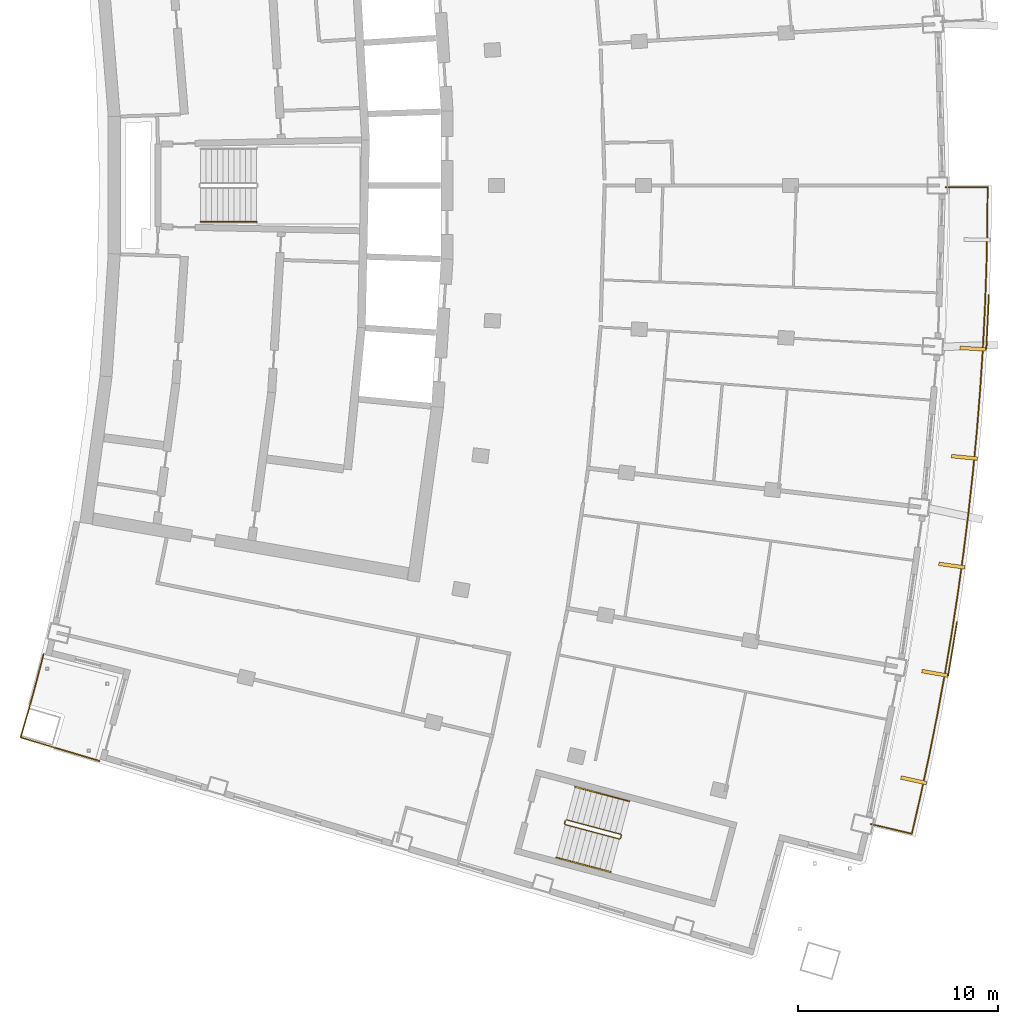
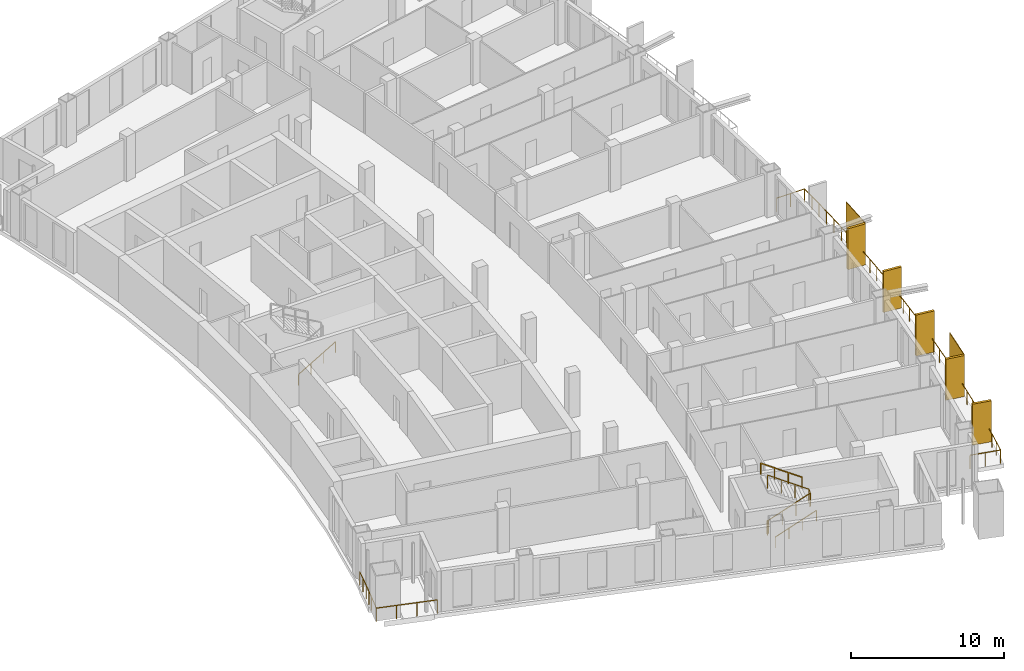
# One storey, part 16 of 17: 7 shading devices, 6 railings.
"""IFC4 building model written with IfcOpenShell, lengths in metres."""

from ifc_helpers import new_model, si_unit, direction, frame, origin, origin_with_axes, origin_2d, place, context, subcontext, project, spatial, rectangle, extrude, material, layer, layer_set, type_object, element, save


model = new_model("IFC4")

# Units and contexts
model_context = context("Model", 3, precision=1e-05, world=origin(), true_north=direction((0.0, 1.0)))
body_context = subcontext(model_context, "Body", "Model", "MODEL_VIEW")
ifc_project = project(units=[si_unit("LENGTHUNIT", "METRE"), si_unit("AREAUNIT", "SQUARE_METRE"), si_unit("VOLUMEUNIT", "CUBIC_METRE"), si_unit("PLANEANGLEUNIT", "RADIAN"), si_unit("MASSUNIT", "GRAM", prefix="KILO")], contexts=[model_context])

# Site, building, storey
site_placement = place(None, origin())
site = spatial("IfcSite", under=ifc_project, at=site_placement, CompositionType="ELEMENT")
building_placement = place(site_placement, origin())
building = spatial("IfcBuilding", under=site, at=building_placement, Name="Alderwake Tower", CompositionType="ELEMENT")
storey_placement = place(building_placement, frame((0.0, 0.0, 214.39990234375)))
storey = spatial("IfcBuildingStorey", under=building, at=storey_placement, Name="L53", CompositionType="ELEMENT", Elevation=214.39990234375)

# Railings
ifc_material_1 = material(Name="Stainless steel 316 rail and posts", Category="steel")
railing_type_1 = type_object("IfcRailingType", Name="Balcony guard 1100", PredefinedType="GUARDRAIL", material=ifc_material_1)
railing_1_placement = place(storey_placement, frame((54.477783203125, 29.14111328125, 0.0)))
element("IfcRailing", 1, at=railing_1_placement, inside=storey, type_object=railing_type_1, Name="Guard BF03", PredefinedType="GUARDRAIL", context=body_context, shape_type="SweptSolid", body=[
    extrude(rectangle(XDim=0.048095703125, YDim=0.048095703125, at=origin_2d()), frame((0.0, 0.0, 1.076171875), z_axis=(0.973057638874, -0.230561990427, 0.0), x_axis=(0.230561990427, 0.973057638874, 0.0)), (0.0, 0.0, 1.0), 2.099853515625),
    extrude(rectangle(XDim=0.048095703125, YDim=0.048095703125, at=origin_2d()), frame((2.043212890625, -0.484130859375, 1.076171875), z_axis=(0.22380572243, 0.97463377666, 0.0), x_axis=(-0.97463377666, 0.22380572243, 0.0)), (0.0, 0.0, 1.0), 1.946044921875),
    extrude(rectangle(XDim=0.048095703125, YDim=0.048095703125, at=origin_2d()), frame((2.478759765625, 1.41259765625, 1.076171875), z_axis=(0.209912112269, 0.977720259135, 0.0), x_axis=(-0.977720259135, 0.209912112269, 0.0)), (0.0, 0.0, 1.0), 2.0458984375),
    extrude(rectangle(XDim=0.048095703125, YDim=0.048095703125, at=origin_2d()), frame((2.908203125, 3.412841796875, 1.076171875), z_axis=(0.195565396752, 0.98069066254, 0.0), x_axis=(-0.98069066254, 0.195565396752, 0.0)), (0.0, 0.0, 1.0), 2.046142578125),
    extrude(rectangle(XDim=0.048095703125, YDim=0.048095703125, at=origin_2d()), frame((3.308349609375, 5.41943359375, 1.076171875), z_axis=(0.181268734219, 0.983433600196, 0.0), x_axis=(-0.983433600196, 0.181268734219, 0.0)), (0.0, 0.0, 1.0), 2.0458984375),
    extrude(rectangle(XDim=0.048095703125, YDim=0.048095703125, at=origin_2d()), frame((3.67919921875, 7.431396484375, 1.076171875), z_axis=(0.167049252433, 0.985948552036, 0.0), x_axis=(-0.985948552036, 0.167049252433, 0.0)), (0.0, 0.0, 1.0), 2.046142578125),
    extrude(rectangle(XDim=0.048095703125, YDim=0.048095703125, at=origin_2d()), frame((4.02099609375, 9.44873046875, 1.076171875), z_axis=(0.152487539839, 0.988305393183, 0.0), x_axis=(-0.988305393183, 0.152487539839, 0.0)), (0.0, 0.0, 1.0), 2.046142578125),
    extrude(rectangle(XDim=0.048095703125, YDim=0.048095703125, at=origin_2d()), frame((4.3330078125, 11.470947265625, 1.076171875), z_axis=(0.138062649027, 0.990423497774, 0.0), x_axis=(-0.990423497774, 0.138062649027, 0.0)), (0.0, 0.0, 1.0), 2.0458984375),
    extrude(rectangle(XDim=0.048095703125, YDim=0.048095703125, at=origin_2d()), frame((4.615478515625, 13.497314453125, 1.076171875), z_axis=(0.123623502309, 0.992329194208, 0.0), x_axis=(-0.992329194208, 0.123623502309, 0.0)), (0.0, 0.0, 1.0), 2.0458984375),
    extrude(rectangle(XDim=0.048095703125, YDim=0.048095703125, at=origin_2d()), frame((4.868408203125, 15.527587890625, 1.076171875), z_axis=(0.109174253205, 0.994022626723, 0.0), x_axis=(-0.994022626723, 0.109174253205, 0.0)), (0.0, 0.0, 1.0), 2.046142578125),
    extrude(rectangle(XDim=0.048095703125, YDim=0.048095703125, at=origin_2d()), frame((5.091796875, 17.5615234375, 1.076171875), z_axis=(0.094623268612, 0.995513152619, 0.0), x_axis=(-0.995513152619, 0.094623268612, 0.0)), (0.0, 0.0, 1.0), 2.046142578125),
    extrude(rectangle(XDim=0.048095703125, YDim=0.048095703125, at=origin_2d()), frame((5.285400390625, 19.598388671875, 1.076171875), z_axis=(0.080191048977, 0.996779512061, 0.0), x_axis=(-0.996779512061, 0.080191048977, 0.0)), (0.0, 0.0, 1.0), 2.0458984375),
    extrude(rectangle(XDim=0.048095703125, YDim=0.048095703125, at=origin_2d()), frame((5.449462890625, 21.6376953125, 1.076171875), z_axis=(0.065505305432, 0.997852221003, 0.0), x_axis=(-0.997852221003, 0.065505305432, 0.0)), (0.0, 0.0, 1.0), 2.046142578125),
    extrude(rectangle(XDim=0.048095703125, YDim=0.048095703125, at=origin_2d()), frame((5.58349609375, 23.679443359375, 1.076171875), z_axis=(0.051074369334, 0.998694852694, 0.0), x_axis=(-0.998694852694, 0.051074369334, 0.0)), (0.0, 0.0, 1.0), 2.0458984375),
    extrude(rectangle(XDim=0.048095703125, YDim=0.048095703125, at=origin_2d()), frame((5.68798828125, 25.72265625, 1.076171875), z_axis=(0.036393784558, 0.999337526787, 0.0), x_axis=(-0.999337526787, 0.036393784558, 0.0)), (0.0, 0.0, 1.0), 2.046142578125),
    extrude(rectangle(XDim=0.048095703125, YDim=0.048095703125, at=origin_2d()), frame((5.762451171875, 27.767333984375, 1.076171875), z_axis=(0.021954368204, 0.999758973812, 0.0), x_axis=(-0.999758973812, 0.021954368204, 0.0)), (0.0, 0.0, 1.0), 2.046142578125),
    extrude(rectangle(XDim=0.048095703125, YDim=0.048095703125, at=origin_2d()), frame((5.807373046875, 29.81298828125, 1.076171875), z_axis=(0.007653477216, 0.999970711714, 0.0), x_axis=(-0.999970711714, 0.007653477216, 0.0)), (0.0, 0.0, 1.0), 1.94580078125),
    extrude(rectangle(XDim=0.048095703125, YDim=0.048095703125, at=origin_2d()), frame((5.822265625, 31.7587890625, 1.076171875), z_axis=(-0.999999668894, 0.000813763971, 0.0), x_axis=(-0.000813763971, -0.999999668894, 0.0)), (0.0, 0.0, 1.0), 2.10009765625),
    extrude(rectangle(XDim=0.0419921875, YDim=0.0419921875, at=origin_2d()), frame((0.0, 0.0, 0.0), z_axis=(0.0, 0.0, 1.0), x_axis=(0.973057638874, -0.230561990427, 0.0)), (0.0, 0.0, 1.0), 1.052001953125),
    extrude(rectangle(XDim=0.0419921875, YDim=0.0419921875, at=origin_2d()), frame((1.021484375, -0.2421875, 0.0), z_axis=(0.0, 0.0, 1.0), x_axis=(0.973057638874, -0.230561990427, 0.0)), (0.0, 0.0, 1.0), 1.052001953125),
    extrude(rectangle(XDim=0.0419921875, YDim=0.0419921875, at=origin_2d()), frame((2.043212890625, -0.484130859375, 0.0), z_axis=(0.0, 0.0, 1.0), x_axis=(0.22380572243, 0.97463377666, 0.0)), (0.0, 0.0, 1.0), 1.052001953125),
    extrude(rectangle(XDim=0.0419921875, YDim=0.0419921875, at=origin_2d()), frame((2.260986328125, 0.46435546875, 0.0), z_axis=(0.0, 0.0, 1.0), x_axis=(0.22380572243, 0.97463377666, 0.0)), (0.0, 0.0, 1.0), 1.052001953125),
    extrude(rectangle(XDim=0.0419921875, YDim=0.0419921875, at=origin_2d()), frame((2.478759765625, 1.41259765625, 0.0), z_axis=(0.0, 0.0, 1.0), x_axis=(0.209912112269, 0.977720259135, 0.0)), (0.0, 0.0, 1.0), 1.052001953125),
    extrude(rectangle(XDim=0.0419921875, YDim=0.0419921875, at=origin_2d()), frame((2.693359375, 2.41259765625, 0.0), z_axis=(0.0, 0.0, 1.0), x_axis=(0.209912112269, 0.977720259135, 0.0)), (0.0, 0.0, 1.0), 1.052001953125),
    extrude(rectangle(XDim=0.0419921875, YDim=0.0419921875, at=origin_2d()), frame((2.908203125, 3.412841796875, 0.0), z_axis=(0.0, 0.0, 1.0), x_axis=(0.195565396752, 0.98069066254, 0.0)), (0.0, 0.0, 1.0), 1.052001953125),
    extrude(rectangle(XDim=0.0419921875, YDim=0.0419921875, at=origin_2d()), frame((3.1083984375, 4.416015625, 0.0), z_axis=(0.0, 0.0, 1.0), x_axis=(0.195565396752, 0.98069066254, 0.0)), (0.0, 0.0, 1.0), 1.052001953125),
    extrude(rectangle(XDim=0.0419921875, YDim=0.0419921875, at=origin_2d()), frame((3.308349609375, 5.41943359375, 0.0), z_axis=(0.0, 0.0, 1.0), x_axis=(0.181268734219, 0.983433600196, 0.0)), (0.0, 0.0, 1.0), 1.052001953125),
    extrude(rectangle(XDim=0.0419921875, YDim=0.0419921875, at=origin_2d()), frame((3.49365234375, 6.42529296875, 0.0), z_axis=(0.0, 0.0, 1.0), x_axis=(0.181268734219, 0.983433600196, 0.0)), (0.0, 0.0, 1.0), 1.052001953125),
    extrude(rectangle(XDim=0.0419921875, YDim=0.0419921875, at=origin_2d()), frame((3.67919921875, 7.431396484375, 0.0), z_axis=(0.0, 0.0, 1.0), x_axis=(0.167049252433, 0.985948552036, 0.0)), (0.0, 0.0, 1.0), 1.052001953125),
    extrude(rectangle(XDim=0.0419921875, YDim=0.0419921875, at=origin_2d()), frame((3.85009765625, 8.43994140625, 0.0), z_axis=(0.0, 0.0, 1.0), x_axis=(0.167049252433, 0.985948552036, 0.0)), (0.0, 0.0, 1.0), 1.052001953125),
    extrude(rectangle(XDim=0.0419921875, YDim=0.0419921875, at=origin_2d()), frame((4.02099609375, 9.44873046875, 0.0), z_axis=(0.0, 0.0, 1.0), x_axis=(0.152487539839, 0.988305393183, 0.0)), (0.0, 0.0, 1.0), 1.052001953125),
    extrude(rectangle(XDim=0.0419921875, YDim=0.0419921875, at=origin_2d()), frame((4.177001953125, 10.4599609375, 0.0), z_axis=(0.0, 0.0, 1.0), x_axis=(0.152487539839, 0.988305393183, 0.0)), (0.0, 0.0, 1.0), 1.052001953125),
    extrude(rectangle(XDim=0.0419921875, YDim=0.0419921875, at=origin_2d()), frame((4.3330078125, 11.470947265625, 0.0), z_axis=(0.0, 0.0, 1.0), x_axis=(0.138062649027, 0.990423497774, 0.0)), (0.0, 0.0, 1.0), 1.052001953125),
    extrude(rectangle(XDim=0.0419921875, YDim=0.0419921875, at=origin_2d()), frame((4.47412109375, 12.484130859375, 0.0), z_axis=(0.0, 0.0, 1.0), x_axis=(0.138062649027, 0.990423497774, 0.0)), (0.0, 0.0, 1.0), 1.052001953125),
    extrude(rectangle(XDim=0.0419921875, YDim=0.0419921875, at=origin_2d()), frame((4.615478515625, 13.497314453125, 0.0), z_axis=(0.0, 0.0, 1.0), x_axis=(0.123623502309, 0.992329194208, 0.0)), (0.0, 0.0, 1.0), 1.052001953125),
    extrude(rectangle(XDim=0.0419921875, YDim=0.0419921875, at=origin_2d()), frame((4.741943359375, 14.512451171875, 0.0), z_axis=(0.0, 0.0, 1.0), x_axis=(0.123623502309, 0.992329194208, 0.0)), (0.0, 0.0, 1.0), 1.052001953125),
    extrude(rectangle(XDim=0.0419921875, YDim=0.0419921875, at=origin_2d()), frame((4.868408203125, 15.527587890625, 0.0), z_axis=(0.0, 0.0, 1.0), x_axis=(0.109174253205, 0.994022626723, 0.0)), (0.0, 0.0, 1.0), 1.052001953125),
    extrude(rectangle(XDim=0.0419921875, YDim=0.0419921875, at=origin_2d()), frame((4.97998046875, 16.54443359375, 0.0), z_axis=(0.0, 0.0, 1.0), x_axis=(0.109174253205, 0.994022626723, 0.0)), (0.0, 0.0, 1.0), 1.052001953125),
    extrude(rectangle(XDim=0.0419921875, YDim=0.0419921875, at=origin_2d()), frame((5.091796875, 17.5615234375, 0.0), z_axis=(0.0, 0.0, 1.0), x_axis=(0.094623268612, 0.995513152619, 0.0)), (0.0, 0.0, 1.0), 1.052001953125),
    extrude(rectangle(XDim=0.0419921875, YDim=0.0419921875, at=origin_2d()), frame((5.1884765625, 18.580078125, 0.0), z_axis=(0.0, 0.0, 1.0), x_axis=(0.094623268612, 0.995513152619, 0.0)), (0.0, 0.0, 1.0), 1.052001953125),
    extrude(rectangle(XDim=0.0419921875, YDim=0.0419921875, at=origin_2d()), frame((5.285400390625, 19.598388671875, 0.0), z_axis=(0.0, 0.0, 1.0), x_axis=(0.080191048977, 0.996779512061, 0.0)), (0.0, 0.0, 1.0), 1.052001953125),
    extrude(rectangle(XDim=0.0419921875, YDim=0.0419921875, at=origin_2d()), frame((5.367431640625, 20.6181640625, 0.0), z_axis=(0.0, 0.0, 1.0), x_axis=(0.080191048977, 0.996779512061, 0.0)), (0.0, 0.0, 1.0), 1.052001953125),
    extrude(rectangle(XDim=0.0419921875, YDim=0.0419921875, at=origin_2d()), frame((5.449462890625, 21.6376953125, 0.0), z_axis=(0.0, 0.0, 1.0), x_axis=(0.065505305432, 0.997852221003, 0.0)), (0.0, 0.0, 1.0), 1.052001953125),
    extrude(rectangle(XDim=0.0419921875, YDim=0.0419921875, at=origin_2d()), frame((5.5166015625, 22.65869140625, 0.0), z_axis=(0.0, 0.0, 1.0), x_axis=(0.065505305432, 0.997852221003, 0.0)), (0.0, 0.0, 1.0), 1.052001953125),
    extrude(rectangle(XDim=0.0419921875, YDim=0.0419921875, at=origin_2d()), frame((5.58349609375, 23.679443359375, 0.0), z_axis=(0.0, 0.0, 1.0), x_axis=(0.051074369334, 0.998694852694, 0.0)), (0.0, 0.0, 1.0), 1.052001953125),
    extrude(rectangle(XDim=0.0419921875, YDim=0.0419921875, at=origin_2d()), frame((5.6357421875, 24.701171875, 0.0), z_axis=(0.0, 0.0, 1.0), x_axis=(0.051074369334, 0.998694852694, 0.0)), (0.0, 0.0, 1.0), 1.052001953125),
    extrude(rectangle(XDim=0.0419921875, YDim=0.0419921875, at=origin_2d()), frame((5.68798828125, 25.72265625, 0.0), z_axis=(0.0, 0.0, 1.0), x_axis=(0.036393784558, 0.999337526787, 0.0)), (0.0, 0.0, 1.0), 1.052001953125),
    extrude(rectangle(XDim=0.0419921875, YDim=0.0419921875, at=origin_2d()), frame((5.72509765625, 26.7451171875, 0.0), z_axis=(0.0, 0.0, 1.0), x_axis=(0.036393784558, 0.999337526787, 0.0)), (0.0, 0.0, 1.0), 1.052001953125),
    extrude(rectangle(XDim=0.0419921875, YDim=0.0419921875, at=origin_2d()), frame((5.762451171875, 27.767333984375, 0.0), z_axis=(0.0, 0.0, 1.0), x_axis=(0.021954368204, 0.999758973812, 0.0)), (0.0, 0.0, 1.0), 1.052001953125),
    extrude(rectangle(XDim=0.0419921875, YDim=0.0419921875, at=origin_2d()), frame((5.784912109375, 28.7900390625, 0.0), z_axis=(0.0, 0.0, 1.0), x_axis=(0.021954368204, 0.999758973812, 0.0)), (0.0, 0.0, 1.0), 1.052001953125),
    extrude(rectangle(XDim=0.0419921875, YDim=0.0419921875, at=origin_2d()), frame((5.807373046875, 29.81298828125, 0.0), z_axis=(0.0, 0.0, 1.0), x_axis=(0.007653477216, 0.999970711714, 0.0)), (0.0, 0.0, 1.0), 1.052001953125),
    extrude(rectangle(XDim=0.0419921875, YDim=0.0419921875, at=origin_2d()), frame((5.81494140625, 30.785888671875, 0.0), z_axis=(0.0, 0.0, 1.0), x_axis=(0.007653477216, 0.999970711714, 0.0)), (0.0, 0.0, 1.0), 1.052001953125),
    extrude(rectangle(XDim=0.0419921875, YDim=0.0419921875, at=origin_2d()), frame((5.822265625, 31.7587890625, 0.0), z_axis=(0.0, 0.0, 1.0), x_axis=(-0.999999668894, 0.000813763971, 0.0)), (0.0, 0.0, 1.0), 1.052001953125),
    extrude(rectangle(XDim=0.0419921875, YDim=0.0419921875, at=origin_2d()), frame((4.772216796875, 31.759765625, 0.0), z_axis=(0.0, 0.0, 1.0), x_axis=(-0.999999668894, 0.000813763971, 0.0)), (0.0, 0.0, 1.0), 1.052001953125),
    extrude(rectangle(XDim=0.0419921875, YDim=0.0419921875, at=origin_2d()), frame((3.72216796875, 31.760498046875, 0.0), z_axis=(0.0, 0.0, 1.0), x_axis=(-0.999999668894, 0.000813763971, 0.0)), (0.0, 0.0, 1.0), 1.052001953125),
])
railing_2_placement = place(storey_placement, frame((13.210693359375, 37.612548828125, 0.0)))
element("IfcRailing", 2, at=railing_2_placement, inside=storey, type_object=railing_type_1, Name="Guard terrace RS", PredefinedType="GUARDRAIL", context=body_context, shape_type="SweptSolid", body=[
    extrude(rectangle(XDim=0.048095703125, YDim=0.048095703125, at=origin_2d()), frame((0.0, 0.0, 1.076171875), z_axis=(-0.251385381433, -0.967887075026, 0.0), x_axis=(0.967887075026, -0.251385381433, 0.0)), (0.0, 0.0, 1.0), 1.6015625),
    extrude(rectangle(XDim=0.048095703125, YDim=0.048095703125, at=origin_2d()), frame((-0.402587890625, -1.550048828125, 1.076171875), z_axis=(-0.266520638672, -0.963829211615, 0.0), x_axis=(0.963829211615, -0.266520638672, 0.0)), (0.0, 0.0, 1.0), 1.401611328125),
    extrude(rectangle(XDim=0.048095703125, YDim=0.048095703125, at=origin_2d()), frame((-0.776123046875, -2.90087890625, 1.076171875), z_axis=(-0.280093650878, -0.959972680204, 0.0), x_axis=(0.959972680204, -0.280093650878, 0.0)), (0.0, 0.0, 1.0), 1.30126953125),
    extrude(rectangle(XDim=0.048095703125, YDim=0.048095703125, at=origin_2d()), frame((-1.140625, -4.150146484375, 1.076171875), z_axis=(0.958066871889, -0.286544706789, 0.0), x_axis=(0.286544706789, 0.958066871889, 0.0)), (0.0, 0.0, 1.0), 4.099853515625),
    extrude(rectangle(XDim=0.0419921875, YDim=0.0419921875, at=origin_2d()), frame((0.0, 0.0, 0.0), z_axis=(0.0, 0.0, 1.0), x_axis=(-0.251385381433, -0.967887075026, 0.0)), (0.0, 0.0, 1.0), 1.052001953125),
    extrude(rectangle(XDim=0.0419921875, YDim=0.0419921875, at=origin_2d()), frame((-0.201171875, -0.77490234375, 0.0), z_axis=(0.0, 0.0, 1.0), x_axis=(-0.251385381433, -0.967887075026, 0.0)), (0.0, 0.0, 1.0), 1.052001953125),
    extrude(rectangle(XDim=0.0419921875, YDim=0.0419921875, at=origin_2d()), frame((-0.402587890625, -1.550048828125, 0.0), z_axis=(0.0, 0.0, 1.0), x_axis=(-0.266520638672, -0.963829211615, 0.0)), (0.0, 0.0, 1.0), 1.052001953125),
    extrude(rectangle(XDim=0.0419921875, YDim=0.0419921875, at=origin_2d()), frame((-0.58935546875, -2.2255859375, 0.0), z_axis=(0.0, 0.0, 1.0), x_axis=(-0.266520638672, -0.963829211615, 0.0)), (0.0, 0.0, 1.0), 1.052001953125),
    extrude(rectangle(XDim=0.0419921875, YDim=0.0419921875, at=origin_2d()), frame((-0.776123046875, -2.90087890625, 0.0), z_axis=(0.0, 0.0, 1.0), x_axis=(-0.280093650878, -0.959972680204, 0.0)), (0.0, 0.0, 1.0), 1.052001953125),
    extrude(rectangle(XDim=0.0419921875, YDim=0.0419921875, at=origin_2d()), frame((-1.140625, -4.150146484375, 0.0), z_axis=(0.0, 0.0, 1.0), x_axis=(0.958066871889, -0.286544706789, 0.0)), (0.0, 0.0, 1.0), 1.052001953125),
    extrude(rectangle(XDim=0.0419921875, YDim=0.0419921875, at=origin_2d()), frame((0.168701171875, -4.541748046875, 0.0), z_axis=(0.0, 0.0, 1.0), x_axis=(0.958066871889, -0.286544706789, 0.0)), (0.0, 0.0, 1.0), 1.052001953125),
    extrude(rectangle(XDim=0.0419921875, YDim=0.0419921875, at=origin_2d()), frame((1.47802734375, -4.933349609375, 0.0), z_axis=(0.0, 0.0, 1.0), x_axis=(0.958066871889, -0.286544706789, 0.0)), (0.0, 0.0, 1.0), 1.052001953125),
    extrude(rectangle(XDim=0.0419921875, YDim=0.0419921875, at=origin_2d()), frame((2.787353515625, -5.324951171875, 0.0), z_axis=(0.0, 0.0, 1.0), x_axis=(0.958066871889, -0.286544706789, 0.0)), (0.0, 0.0, 1.0), 1.052001953125),
])

# Shading devices
ifc_material_2 = material(Name="Bronze anodised aluminium", Category="aluminium")
ifc_layer_1 = layer(ifc_material_2, 0.179931640625)
ifc_layer_set_1 = layer_set([ifc_layer_1], Name="Facade fin 1300")
shading_device_type_1 = type_object("IfcShadingDeviceType", Name="Facade fin 1300", PredefinedType="USERDEFINED", material=ifc_layer_set_1)
for number, where, z_axis, x_axis, name in (
    (3, (56.614013671875, 31.32421875, 0.0), (0.0, 0.0, 1.0), (0.977210363881, -0.212273184185, 0.0), "Fin"),
    (4, (57.664794921875, 36.65966796875, 0.0), (0.0, 0.0, 1.0), (0.984726421654, -0.174108800747, 0.0), "Fin"),
    (5, (58.507080078125, 42.031982421875, 0.0), (0.0, 0.0, 1.0), (0.990752577235, -0.135680988728, 0.0), "Fin"),
    (6, (59.14013671875, 47.432861328125, 0.0), (0.0, 0.0, 1.0), (0.995279882363, -0.097046152751, 0.0), "Fin"),
    (7, (59.5625, 52.854248046875, 0.0), (0.0, 0.0, 1.0), (0.998301080988, -0.058266214038, 0.0), "Fin"),
):
    element("IfcShadingDevice", number, at=place(storey_placement, frame(where, z_axis=z_axis, x_axis=x_axis)), inside=storey, type_object=shading_device_type_1, Name=name, ObjectType="FIN", PredefinedType="USERDEFINED", context=body_context, shape_type="SweptSolid", body=[
        extrude(rectangle(XDim=1.300048828125, YDim=0.179931640625, at=origin_2d()), origin(), (0.0, 0.0, 1.0), 3.280029296875),
    ])
ifc_material_3 = material(Name="Perforated bronze anodised aluminium", Category="aluminium")
ifc_layer_2 = layer(ifc_material_3, 0.050048828125)
ifc_layer_set_2 = layer_set([ifc_layer_2], Name="Perforated screen panel")
shading_device_type_2 = type_object("IfcShadingDeviceType", Name="Perforated screen panel", PredefinedType="USERDEFINED", material=ifc_layer_set_2)
for number, where, z_axis, x_axis, name in (
    (8, (58.5537109375, 37.88623046875, 0.0), (0.0, 0.0, 1.0), (0.986369013299, -0.164548380739, 0.0), "Screen panel"),
    (9, (60.302490234375, 54.17578125, 0.0), (0.0, 0.0, 1.0), (0.998819231138, -0.048581308217, 0.0), "Screen panel"),
):
    element("IfcShadingDevice", number, at=place(storey_placement, frame(where, z_axis=z_axis, x_axis=x_axis)), inside=storey, type_object=shading_device_type_2, Name=name, ObjectType="SCREEN", PredefinedType="USERDEFINED", context=body_context, shape_type="SweptSolid", body=[
        extrude(rectangle(XDim=0.050048828125, YDim=2.72509765625, at=origin_2d()), origin(), (0.0, 0.0, 1.0), 3.280029296875),
    ])

# Railings
ifc_material_4 = material(Name="Stainless steel guard", Category="steel")
railing_type_2 = type_object("IfcRailingType", Name="Stair guard 1100", PredefinedType="GUARDRAIL", material=ifc_material_4)
railing_3_placement = place(storey_placement, frame((39.1943359375, 29.17431640625, 0.0)))
element("IfcRailing", 10, at=railing_3_placement, inside=storey, type_object=railing_type_2, Name="L53 ST-C stair guard 1", PredefinedType="GUARDRAIL", context=body_context, shape_type="SweptSolid", body=[
    extrude(rectangle(XDim=0.048095703125, YDim=0.048095703125, at=origin_2d()), frame((0.0, 0.0, 1.076171875), z_axis=(0.257459803502, 0.966289009345, 0.0), x_axis=(-0.966289009345, 0.257459803502, 0.0)), (0.0, 0.0, 1.0), 0.14990234375),
    extrude(rectangle(XDim=0.048095703125, YDim=0.048095703125, at=origin_2d()), frame((0.03857421875, 0.144775390625, 1.076171875), z_axis=(-0.012055935761, -0.782708444821, 0.622271761226), x_axis=(0.999881397308, -0.015401016783, 0.0)), (0.0, 0.0, 1.0), 0.26318359375),
    extrude(rectangle(XDim=0.048095703125, YDim=0.048095703125, at=origin_2d()), frame((0.035400390625, -0.061279296875, 1.23974609375), z_axis=(0.834313512087, -0.222222637163, 0.504517653885), x_axis=(0.257380452725, 0.966310148221, 0.0)), (0.0, 0.0, 1.0), 3.2431640625),
    extrude(rectangle(XDim=0.048095703125, YDim=0.048095703125, at=origin_2d()), frame((2.7412109375, -0.781982421875, 2.8759765625), z_axis=(0.865031189262, 0.501718089772, 0.0), x_axis=(-0.501718089772, 0.865031189262, 0.0)), (0.0, 0.0, 1.0), 0.070556640625),
    extrude(rectangle(XDim=0.048095703125, YDim=0.048095703125, at=origin_2d()), frame((2.80224609375, -0.74658203125, 2.8759765625), z_axis=(0.257055032184, 0.966396766566, 0.0), x_axis=(-0.966396766566, 0.257055032184, 0.0)), (0.0, 0.0, 1.0), 0.150146484375),
    extrude(rectangle(XDim=0.048095703125, YDim=0.048095703125, at=origin_2d()), frame((2.8408203125, -0.6015625, 2.8759765625), z_axis=(-0.198625291617, 0.343827228937, 0.91778583023), x_axis=(-0.865898279276, -0.500220121494, 0.0)), (0.0, 0.0, 1.0), 0.17822265625),
    extrude(rectangle(XDim=0.048095703125, YDim=0.048095703125, at=origin_2d()), frame((2.805419921875, -0.540283203125, 3.03955078125), z_axis=(-0.834258940753, 0.22222815314, 0.504605457487), x_axis=(-0.257402139082, -0.966304371715, 0.0)), (0.0, 0.0, 1.0), 3.2431640625),
    extrude(rectangle(XDim=0.0419921875, YDim=0.0419921875, at=origin_2d()), frame((0.0, 0.0, 0.0), z_axis=(0.0, 0.0, 1.0), x_axis=(0.257459803502, 0.966289009345, 0.0)), (0.0, 0.0, 1.0), 1.052001953125),
    extrude(rectangle(XDim=0.0419921875, YDim=0.0419921875, at=origin_2d()), frame((0.03857421875, 0.144775390625, 0.0), z_axis=(0.0, 0.0, 1.0), x_axis=(-0.015401016783, -0.999881397308, 0.0)), (0.0, 0.0, 1.0), 1.052001953125),
    extrude(rectangle(XDim=0.0419921875, YDim=0.0419921875, at=origin_2d()), frame((0.035400390625, -0.061279296875, 0.163818359375), z_axis=(0.0, 0.0, 1.0), x_axis=(0.966310148221, -0.257380452725, 0.0)), (0.0, 0.0, 1.0), 1.052001953125),
    extrude(rectangle(XDim=0.0419921875, YDim=0.0419921875, at=origin_2d()), frame((0.937255859375, -0.301513671875, 0.709228515625), z_axis=(0.0, 0.0, 1.0), x_axis=(0.966310148221, -0.257380452725, 0.0)), (0.0, 0.0, 1.0), 1.052001953125),
    extrude(rectangle(XDim=0.0419921875, YDim=0.0419921875, at=origin_2d()), frame((1.83935546875, -0.541748046875, 1.254638671875), z_axis=(0.0, 0.0, 1.0), x_axis=(0.966310148221, -0.257380452725, 0.0)), (0.0, 0.0, 1.0), 1.052001953125),
    extrude(rectangle(XDim=0.0419921875, YDim=0.0419921875, at=origin_2d()), frame((2.7412109375, -0.781982421875, 1.800048828125), z_axis=(0.0, 0.0, 1.0), x_axis=(0.865031189262, 0.501718089772, 0.0)), (0.0, 0.0, 1.0), 1.052001953125),
    extrude(rectangle(XDim=0.0419921875, YDim=0.0419921875, at=origin_2d()), frame((2.80224609375, -0.74658203125, 1.800048828125), z_axis=(0.0, 0.0, 1.0), x_axis=(0.257055032184, 0.966396766566, 0.0)), (0.0, 0.0, 1.0), 1.052001953125),
    extrude(rectangle(XDim=0.0419921875, YDim=0.0419921875, at=origin_2d()), frame((2.8408203125, -0.6015625, 1.800048828125), z_axis=(0.0, 0.0, 1.0), x_axis=(-0.500220121494, 0.865898279276, 0.0)), (0.0, 0.0, 1.0), 1.052001953125),
    extrude(rectangle(XDim=0.0419921875, YDim=0.0419921875, at=origin_2d()), frame((2.805419921875, -0.540283203125, 1.963623046875), z_axis=(0.0, 0.0, 1.0), x_axis=(-0.966304371715, 0.257402139082, 0.0)), (0.0, 0.0, 1.0), 1.052001953125),
    extrude(rectangle(XDim=0.0419921875, YDim=0.0419921875, at=origin_2d()), frame((1.903564453125, -0.300048828125, 2.509033203125), z_axis=(0.0, 0.0, 1.0), x_axis=(-0.966304371715, 0.257402139082, 0.0)), (0.0, 0.0, 1.0), 1.052001953125),
    extrude(rectangle(XDim=0.0419921875, YDim=0.0419921875, at=origin_2d()), frame((1.001708984375, -0.059814453125, 3.0546875), z_axis=(0.0, 0.0, 1.0), x_axis=(-0.966304371715, 0.257402139082, 0.0)), (0.0, 0.0, 1.0), 1.052001953125),
    extrude(rectangle(XDim=0.0419921875, YDim=0.0419921875, at=origin_2d()), frame((0.099853515625, 0.180419921875, 3.60009765625), z_axis=(0.0, 0.0, 1.0), x_axis=(-0.966304371715, 0.257402139082, 0.0)), (0.0, 0.0, 1.0), 1.052001953125),
])
ifc_material_5 = material(Name="Stainless steel handrail", Category="steel")
railing_type_3 = type_object("IfcRailingType", Name="Stair handrail 900", PredefinedType="HANDRAIL", material=ifc_material_5)
railing_4_placement = place(storey_placement, frame((21.0400390625, 59.175048828125, 0.163818359375)))
element("IfcRailing", 11, at=railing_4_placement, inside=storey, type_object=railing_type_3, Name="L53 ST-B stair handrail 1", PredefinedType="HANDRAIL", context=body_context, shape_type="SweptSolid", body=[
    extrude(rectangle(XDim=0.048095703125, YDim=0.048095703125, at=origin_2d()), frame((0.0, 0.0, 0.8759765625), z_axis=(0.863393664356, 0.0, 0.504530851732), x_axis=(0.0, 1.0, 0.0)), (0.0, 0.0, 1.0), 3.2431640625),
    extrude(rectangle(XDim=0.0419921875, YDim=0.0419921875, at=origin_2d()), origin_with_axes(), (0.0, 0.0, 1.0), 0.851806640625),
    extrude(rectangle(XDim=0.0419921875, YDim=0.0419921875, at=origin_2d()), frame((0.933349609375, 0.0, 0.54541015625), z_axis=(0.0, 0.0, 1.0), x_axis=(1.0, 0.0, 0.0)), (0.0, 0.0, 1.0), 0.851806640625),
    extrude(rectangle(XDim=0.0419921875, YDim=0.0419921875, at=origin_2d()), frame((1.86669921875, 0.0, 1.0908203125), z_axis=(0.0, 0.0, 1.0), x_axis=(1.0, 0.0, 0.0)), (0.0, 0.0, 1.0), 0.851806640625),
    extrude(rectangle(XDim=0.0419921875, YDim=0.0419921875, at=origin_2d()), frame((2.800048828125, 0.0, 1.63623046875), z_axis=(0.0, 0.0, 1.0), x_axis=(1.0, 0.0, 0.0)), (0.0, 0.0, 1.0), 0.851806640625),
])
railing_5_placement = place(storey_placement, frame((38.792236328125, 27.47021484375, 0.163818359375)))
element("IfcRailing", 12, at=railing_5_placement, inside=storey, type_object=railing_type_3, Name="L53 ST-C stair handrail 1", PredefinedType="HANDRAIL", context=body_context, shape_type="SweptSolid", body=[
    extrude(rectangle(XDim=0.048095703125, YDim=0.048095703125, at=origin_2d()), frame((0.0, 0.0, 0.8759765625), z_axis=(0.834304587439, -0.222165027751, 0.504557782442), x_axis=(0.25732071773, 0.966326056891, 0.0)), (0.0, 0.0, 1.0), 3.242919921875),
    extrude(rectangle(XDim=0.0419921875, YDim=0.0419921875, at=origin_2d()), frame((0.0, 0.0, 0.0), z_axis=(0.0, 0.0, 1.0), x_axis=(0.966326056891, -0.25732071773, 0.0)), (0.0, 0.0, 1.0), 0.851806640625),
    extrude(rectangle(XDim=0.0419921875, YDim=0.0419921875, at=origin_2d()), frame((0.90185546875, -0.240234375, 0.54541015625), z_axis=(0.0, 0.0, 1.0), x_axis=(0.966326056891, -0.25732071773, 0.0)), (0.0, 0.0, 1.0), 0.851806640625),
    extrude(rectangle(XDim=0.0419921875, YDim=0.0419921875, at=origin_2d()), frame((1.8037109375, -0.480224609375, 1.0908203125), z_axis=(0.0, 0.0, 1.0), x_axis=(0.966326056891, -0.25732071773, 0.0)), (0.0, 0.0, 1.0), 0.851806640625),
    extrude(rectangle(XDim=0.0419921875, YDim=0.0419921875, at=origin_2d()), frame((2.70556640625, -0.720458984375, 1.63623046875), z_axis=(0.0, 0.0, 1.0), x_axis=(0.966326056891, -0.25732071773, 0.0)), (0.0, 0.0, 1.0), 0.851806640625),
])
railing_6_placement = place(storey_placement, frame((42.437255859375, 30.276611328125, 1.963623046875)))
element("IfcRailing", 13, at=railing_6_placement, inside=storey, type_object=railing_type_3, Name="L53 ST-C stair handrail 2", PredefinedType="HANDRAIL", context=body_context, shape_type="SweptSolid", body=[
    extrude(rectangle(XDim=0.048095703125, YDim=0.048095703125, at=origin_2d()), frame((0.0, 0.0, 0.8759765625), z_axis=(-0.834258940753, 0.22222815314, 0.504605457487), x_axis=(-0.257402139082, -0.966304371715, 0.0)), (0.0, 0.0, 1.0), 3.2431640625),
    extrude(rectangle(XDim=0.0419921875, YDim=0.0419921875, at=origin_2d()), frame((0.0, 0.0, 0.0), z_axis=(0.0, 0.0, 1.0), x_axis=(-0.966304371715, 0.257402139082, 0.0)), (0.0, 0.0, 1.0), 0.851806640625),
    extrude(rectangle(XDim=0.0419921875, YDim=0.0419921875, at=origin_2d()), frame((-0.90185546875, 0.240234375, 0.54541015625), z_axis=(0.0, 0.0, 1.0), x_axis=(-0.966304371715, 0.257402139082, 0.0)), (0.0, 0.0, 1.0), 0.851806640625),
    extrude(rectangle(XDim=0.0419921875, YDim=0.0419921875, at=origin_2d()), frame((-1.8037109375, 0.48046875, 1.091064453125), z_axis=(0.0, 0.0, 1.0), x_axis=(-0.966304371715, 0.257402139082, 0.0)), (0.0, 0.0, 1.0), 0.851806640625),
    extrude(rectangle(XDim=0.0419921875, YDim=0.0419921875, at=origin_2d()), frame((-2.70556640625, 0.720703125, 1.636474609375), z_axis=(0.0, 0.0, 1.0), x_axis=(-0.966304371715, 0.257402139082, 0.0)), (0.0, 0.0, 1.0), 0.851806640625),
])

save(model, "model.ifc")
